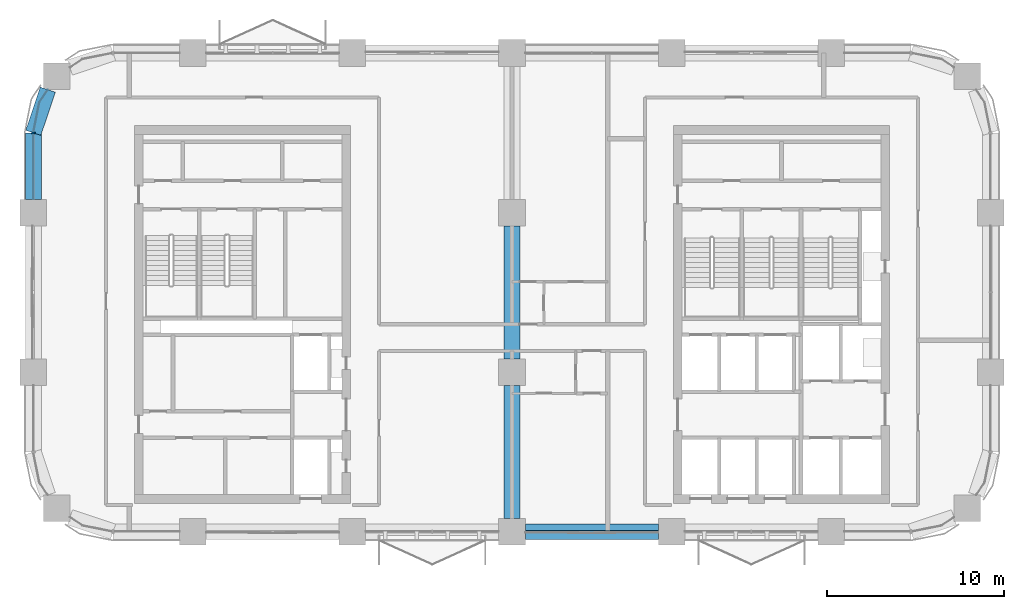
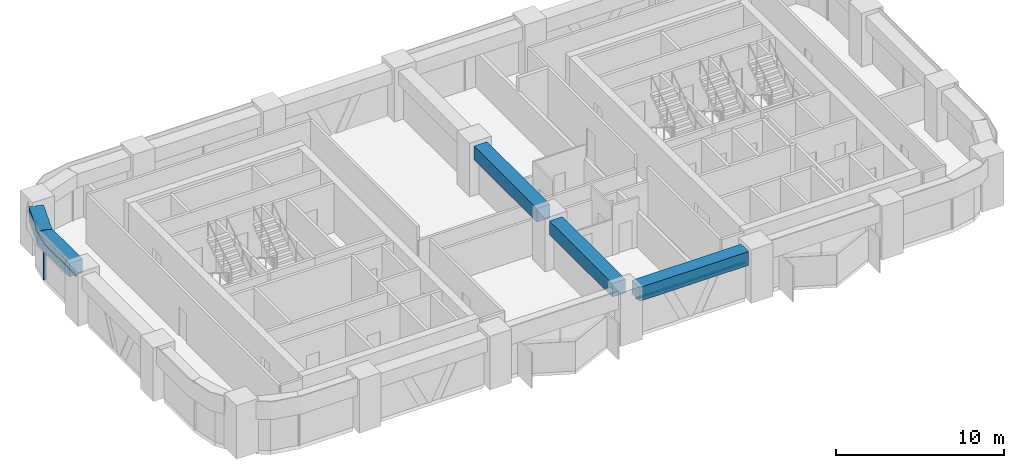
# One storey, part 3 of 13: 5 beams, 3 members, 2 elements without a shape of their own.
"""IFC4 building model written with IfcOpenShell, lengths in metres."""

from ifc_helpers import new_model, si_unit, direction, frame, origin, origin_2d, place, context, subcontext, project, spatial, polyline, rectangle, outline, extrude, material, material_profile, profile_set, type_object, element, aggregate, save


model = new_model("IFC4")

# Units and contexts
model_context = context("Model", 3, precision=1e-05, world=origin(), true_north=direction((0.0, 1.0)))
body_context = subcontext(model_context, "Body", "Model", "MODEL_VIEW")
ifc_project = project(units=[si_unit("LENGTHUNIT", "METRE"), si_unit("AREAUNIT", "SQUARE_METRE"), si_unit("VOLUMEUNIT", "CUBIC_METRE"), si_unit("PLANEANGLEUNIT", "RADIAN"), si_unit("MASSUNIT", "GRAM", prefix="KILO")], contexts=[model_context])

# Site, building, storey
site_placement = place(None, origin())
site = spatial("IfcSite", under=ifc_project, at=site_placement, CompositionType="ELEMENT")
building_placement = place(site_placement, origin())
building = spatial("IfcBuilding", under=site, at=building_placement, Name="Tessera Arch", CompositionType="ELEMENT")
storey_placement = place(building_placement, frame((0.0, 0.0, 189.5)))
storey = spatial("IfcBuildingStorey", under=building, at=storey_placement, Name="L45", CompositionType="ELEMENT", Elevation=189.5)

# Curtain wall, members
ifc_material_1 = material(Name="CW2 curtain wall")
curtain_wall_type_1 = type_object("IfcCurtainWallType", Name="CW2 curtain wall", PredefinedType="NOTDEFINED", material=ifc_material_1)
curtain_wall_1_placement = place(storey_placement, origin())
curtain_wall_1 = element("IfcCurtainWall", 1, at=curtain_wall_1_placement, inside=storey, type_object=curtain_wall_type_1, Name="CW2 curtain wall W0.27/0 L45", PredefinedType="NOTDEFINED")
ifc_material_2 = material(Name="Anodised aluminium pale metal", Category="aluminium")
ifc_material_profile_1 = material_profile(ifc_material_2, rectangle(XDim=0.199951171875, YDim=0.080078125, at=origin_2d()), Name="AL 80x200")
ifc_profile_set_1 = profile_set([ifc_material_profile_1], Name="Anodised aluminium pale metal")
member_type_1 = type_object("IfcMemberType", Name="CW2 mullion", PredefinedType="MULLION", material=ifc_profile_set_1)
member_1_placement = place(storey_placement, frame((0.0, 49.5, 0.0), z_axis=(0.0, 0.0, 1.0), x_axis=(1.0, 0.0, 0.0)))
member_1 = element("IfcMember", 2, at=member_1_placement, type_object=member_type_1, Name="CW2 mullion W0.27/0 1", PredefinedType="MULLION", context=body_context, shape_type="SweptSolid", body=[
    extrude(rectangle(XDim=0.199951171875, YDim=0.080078125, at=origin_2d()), origin(), (0.0, 0.0, 1.0), 2.5),
])
ifc_material_3 = material(Name="Anodised aluminium pale metal", Category="aluminium")
ifc_material_profile_2 = material_profile(ifc_material_3, rectangle(XDim=0.199951171875, YDim=0.10009765625, at=origin_2d()), Name="AL 200x100")
ifc_profile_set_2 = profile_set([ifc_material_profile_2], Name="Anodised aluminium pale metal")
member_type_2 = type_object("IfcMemberType", Name="CW2 transom", PredefinedType="USERDEFINED", material=ifc_profile_set_2)
member_2_placement = place(storey_placement, frame((0.0, 0.0, 2.5)))
member_2 = element("IfcMember", 3, at=member_2_placement, type_object=member_type_2, Name="CW2 transom W0.27/0 1", ObjectType="TRANSOM", PredefinedType="USERDEFINED", context=body_context, shape_type="SweptSolid", body=[
    extrude(outline(polyline([(0.351806640625, 51.21826171875), (0.8251953125, 51.926513671875), (0.80859375, 51.9375), (0.3330078125, 51.22607421875), (-0.010009765625, 49.5009765625), (-0.010009765625, 45.75), (0.010009765625, 45.75), (0.010009765625, 49.4990234375), (0.351806640625, 51.21826171875)])), origin(), (0.0, 0.0, 1.0), 0.10009765625),
])
aggregate(curtain_wall_1, [member_1, member_2])

# Curtain wall, member
ifc_material_4 = material(Name="CW3 curtain wall")
curtain_wall_type_2 = type_object("IfcCurtainWallType", Name="CW3 curtain wall", PredefinedType="NOTDEFINED", material=ifc_material_4)
curtain_wall_2_placement = place(storey_placement, origin())
curtain_wall_2 = element("IfcCurtainWall", 4, at=curtain_wall_2_placement, inside=storey, type_object=curtain_wall_type_2, Name="CW3 curtain wall S27.0/3 L45", PredefinedType="NOTDEFINED")
ifc_material_5 = material(Name="Anodised aluminium pale metal", Category="aluminium")
ifc_material_profile_3 = material_profile(ifc_material_5, rectangle(XDim=0.139892578125, YDim=0.10009765625, at=origin_2d()), Name="AL 140x100")
ifc_profile_set_3 = profile_set([ifc_material_profile_3], Name="Anodised aluminium pale metal")
member_type_3 = type_object("IfcMemberType", Name="CW3 transom", PredefinedType="USERDEFINED", material=ifc_profile_set_3)
member_3_placement = place(storey_placement, frame((27.75, 27.0, 2.550048828125), z_axis=(1.0, 0.0, 0.0), x_axis=(0.0, 1.0, 0.0)))
member_3 = element("IfcMember", 5, at=member_3_placement, type_object=member_type_3, Name="CW3 transom S27.0/3 1.1", ObjectType="TRANSOM", PredefinedType="USERDEFINED", context=body_context, shape_type="SweptSolid", body=[
    extrude(rectangle(XDim=0.139892578125, YDim=0.10009765625, at=origin_2d()), origin(), (0.0, 0.0, 1.0), 7.5),
])
aggregate(curtain_wall_2, [member_3])

# Beams
ifc_material_6 = material(Name="Concrete C70/85", Category="concrete")
ifc_material_profile_4 = material_profile(ifc_material_6, rectangle(XDim=0.89990234375, YDim=1.0, at=origin_2d()), Name="RC spandrel beam 900 x 1000 Concrete C70/85")
ifc_profile_set_4 = profile_set([ifc_material_profile_4], Name="Concrete C70/85")
beam_type = type_object("IfcBeamType", Name="RC spandrel beam 900 x 1000 Concrete C70/85", PredefinedType="BEAM", material=ifc_profile_set_4)
beam_1_placement = place(storey_placement, frame((0.81689453125, 51.931884765625, 3.10009765625), z_axis=(-0.31842525032, -0.947947973234, 0.0), x_axis=(0.947947973234, -0.31842525032, 0.0)))
element("IfcBeam", 6, at=beam_1_placement, inside=storey, type_object=beam_type, Name="Spandrel beam L45 W0.27/0.1", PredefinedType="BEAM", context=body_context, shape_type="SweptSolid", body=[
    extrude(rectangle(XDim=0.89990234375, YDim=1.0, at=origin_2d()), origin(), (0.0, 0.0, 1.0), 2.5654296875),
])
beam_2_placement = place(storey_placement, frame((0.0, 49.5, 3.10009765625), z_axis=(0.0, -1.0, 0.0), x_axis=(1.0, 0.0, 0.0)))
element("IfcBeam", 7, at=beam_2_placement, inside=storey, type_object=beam_type, Name="Spandrel beam L45 W0.27/0.2", PredefinedType="BEAM", context=body_context, shape_type="SweptSolid", body=[
    extrude(rectangle(XDim=0.89990234375, YDim=1.0, at=origin_2d()), origin(), (0.0, 0.0, 1.0), 3.75),
])
for number, where, z_axis, x_axis, name in (
    (8, (27.75, 27.0, 3.10009765625), (1.0, 0.0, 0.0), (0.0, 1.0, 0.0), "Spandrel beam L45 S27.0/3"),
    (9, (27.0, 27.75, 3.10009765625), (0.0, 1.0, 0.0), (-1.0, 0.0, 0.0), "Interface beam L45 I0C4D-C4E"),
    (10, (27.0, 36.75, 3.10009765625), (0.0, 1.0, 0.0), (-1.0, 0.0, 0.0), "Interface beam L45 I0C4E-C4F"),
):
    element("IfcBeam", number, at=place(storey_placement, frame(where, z_axis=z_axis, x_axis=x_axis)), inside=storey, type_object=beam_type, Name=name, PredefinedType="BEAM", context=body_context, shape_type="SweptSolid", body=[
        extrude(rectangle(XDim=0.89990234375, YDim=1.0, at=origin_2d()), origin(), (0.0, 0.0, 1.0), 7.5),
    ])

save(model, "model.ifc")
